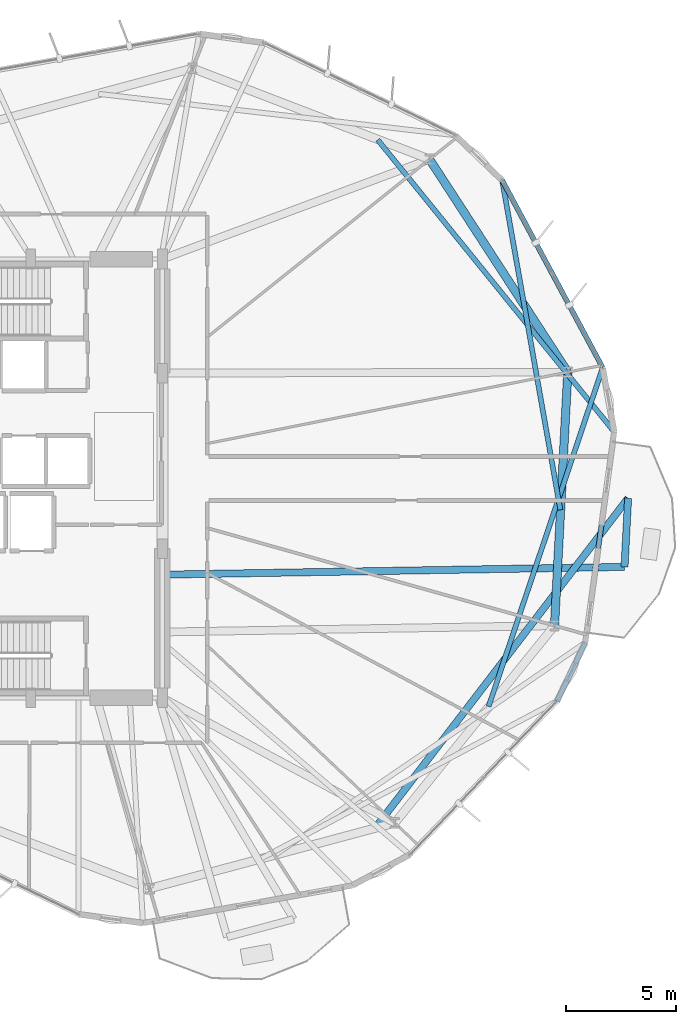
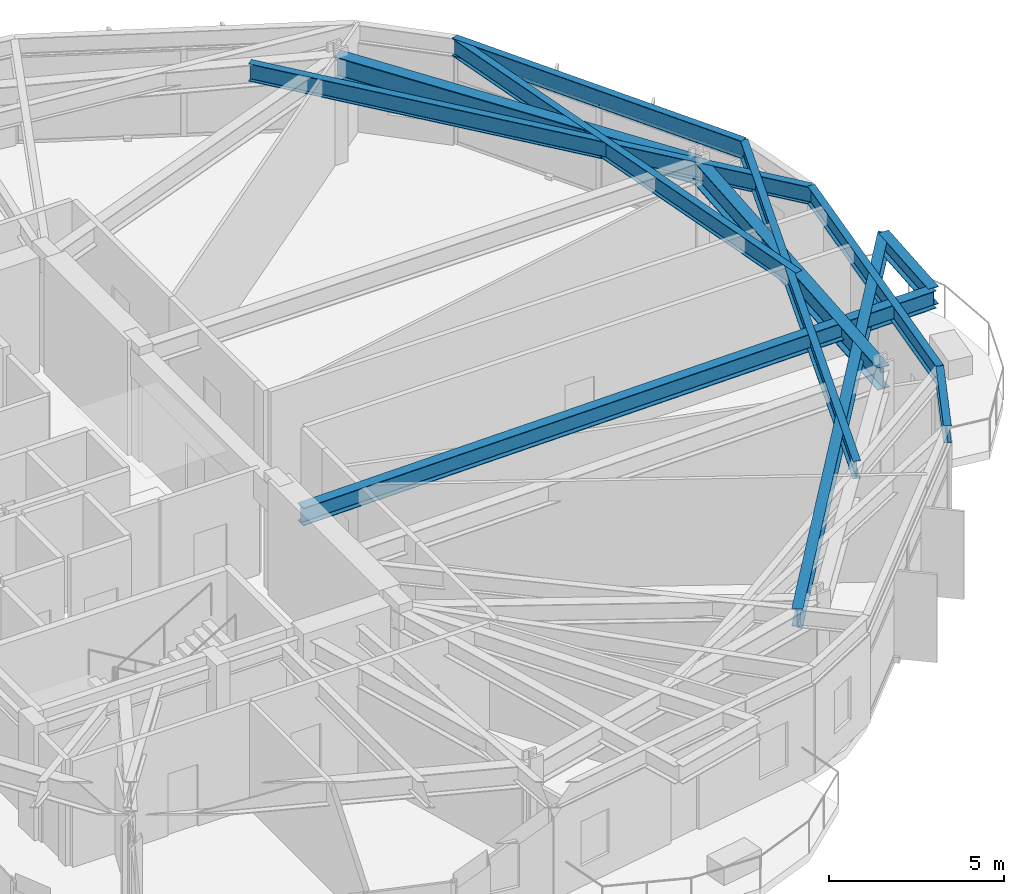
# One storey, part 10 of 22: 11 beams.
"""IFC4 building model written with IfcOpenShell, lengths in metres."""

from ifc_helpers import new_model, si_unit, direction, frame, origin, origin_2d, place, context, subcontext, project, spatial, i_section, extrude, material, material_profile, profile_set, type_object, element, save


model = new_model("IFC4")

# Units and contexts
model_context = context("Model", 3, precision=1e-05, world=origin(), true_north=direction((0.0, 1.0)))
body_context = subcontext(model_context, "Body", "Model", "MODEL_VIEW")
ifc_project = project(units=[si_unit("LENGTHUNIT", "METRE"), si_unit("AREAUNIT", "SQUARE_METRE"), si_unit("VOLUMEUNIT", "CUBIC_METRE"), si_unit("PLANEANGLEUNIT", "RADIAN"), si_unit("MASSUNIT", "GRAM", prefix="KILO")], contexts=[model_context])

# Site, building, storey
site_placement = place(None, origin())
site = spatial("IfcSite", under=ifc_project, at=site_placement, CompositionType="ELEMENT")
building_placement = place(site_placement, origin())
building = spatial("IfcBuilding", under=site, at=building_placement, Name="Soratama Intermodal Tower", CompositionType="ELEMENT")
storey_placement = place(building_placement, frame((0.0, 0.0, 66.60009765625)))
storey = spatial("IfcBuildingStorey", under=building, at=storey_placement, Name="L15", CompositionType="ELEMENT", Elevation=66.60009765625)

# Beams
ifc_material_1 = material(Name="Structural steel ASTM A992 Grade 50", Category="steel")
ifc_material_profile_1 = material_profile(ifc_material_1, i_section(OverallWidth=0.324951171875, OverallDepth=0.615966796875, WebThickness=0.013916015625, FlangeThickness=0.021484375, FilletRadius=0.013916015625, at=origin_2d()), Name="W24X117")
ifc_profile_set_1 = profile_set([ifc_material_profile_1], Name="Structural steel ASTM A992 Grade 50")
beam_type_1 = type_object("IfcBeamType", Name="BM-CANT-W24X117", PredefinedType="BEAM", material=ifc_profile_set_1)
beam_1_placement = place(storey_placement, frame((65.66796875, 20.968017578125, 3.391845703125), z_axis=(0.052325879315, 0.998630062813, 0.0), x_axis=(-0.998630062813, 0.052325879315, 0.0)))
element("IfcBeam", 1, at=beam_1_placement, inside=storey, type_object=beam_type_1, Name="BM-L15-CBHDR-1", PredefinedType="BEAM", context=body_context, shape_type="SweptSolid", body=[
    extrude(i_section(OverallWidth=0.324951171875, OverallDepth=0.615966796875, WebThickness=0.013916015625, FlangeThickness=0.021484375, FilletRadius=0.013916015625, at=origin_2d()), origin(), (0.0, 0.0, 1.0), 3.135498046875),
])
beam_2_placement = place(storey_placement, frame((44.639892578125, 20.614990234375, 3.391845703125), z_axis=(0.999859104923, 0.01678601509, 0.0), x_axis=(-0.01678601509, 0.999859104923, 0.0)))
element("IfcBeam", 2, at=beam_2_placement, inside=storey, type_object=beam_type_1, Name="BM-L15-CANT-1-1", PredefinedType="BEAM", context=body_context, shape_type="SweptSolid", body=[
    extrude(i_section(OverallWidth=0.324951171875, OverallDepth=0.615966796875, WebThickness=0.013916015625, FlangeThickness=0.021484375, FilletRadius=0.013916015625, at=origin_2d()), origin(), (0.0, 0.0, 1.0), 21.031005859375),
])
beam_3_placement = place(storey_placement, frame((54.326904296875, 9.093017578125, 3.391845703125), z_axis=(0.608446451664, 0.793594931598, 0.0), x_axis=(-0.793594931598, 0.608446451664, 0.0)))
element("IfcBeam", 3, at=beam_3_placement, inside=storey, type_object=beam_type_1, Name="BM-L15-CANT-1-2", PredefinedType="BEAM", context=body_context, shape_type="SweptSolid", body=[
    extrude(i_section(OverallWidth=0.324951171875, OverallDepth=0.615966796875, WebThickness=0.013916015625, FlangeThickness=0.021484375, FilletRadius=0.013916015625, at=origin_2d()), origin(), (0.0, 0.0, 1.0), 18.908935546875),
])
ifc_material_2 = material(Name="Structural steel ASTM A992 Grade 50", Category="steel")
ifc_material_profile_2 = material_profile(ifc_material_2, i_section(OverallWidth=0.382080078125, OverallDepth=0.779052734375, WebThickness=0.01806640625, FlangeThickness=0.030029296875, FilletRadius=0.01806640625, at=origin_2d()), Name="W30X191")
ifc_profile_set_2 = profile_set([ifc_material_profile_2], Name="Structural steel ASTM A992 Grade 50")
beam_type_2 = type_object("IfcBeamType", Name="BM-RING-W30X191", PredefinedType="BEAM", material=ifc_profile_set_2)
beam_4_placement = place(storey_placement, frame((63.08203125, 29.844970703125, 3.310302734375), z_axis=(-0.544623370352, 0.838680740489, 0.0), x_axis=(-0.838680740489, -0.544623370352, 0.0)))
element("IfcBeam", 4, at=beam_4_placement, inside=storey, type_object=beam_type_2, Name="BM-L15-RING-01", PredefinedType="BEAM", context=body_context, shape_type="SweptSolid", body=[
    extrude(i_section(OverallWidth=0.382080078125, OverallDepth=0.779052734375, WebThickness=0.01806640625, FlangeThickness=0.030029296875, FilletRadius=0.01806640625, at=origin_2d()), origin(), (0.0, 0.0, 1.0), 11.569580078125),
])
beam_5_placement = place(storey_placement, frame((62.47705078125, 18.291015625, 3.310302734375), z_axis=(0.052289698717, 0.998631957935, 0.0), x_axis=(-0.998631957935, 0.052289698717, 0.0)))
element("IfcBeam", 5, at=beam_5_placement, inside=storey, type_object=beam_type_2, Name="BM-L15-RING-10", PredefinedType="BEAM", context=body_context, shape_type="SweptSolid", body=[
    extrude(i_section(OverallWidth=0.382080078125, OverallDepth=0.779052734375, WebThickness=0.01806640625, FlangeThickness=0.030029296875, FilletRadius=0.01806640625, at=origin_2d()), origin(), (0.0, 0.0, 1.0), 11.56982421875),
])
ifc_material_3 = material(Name="Structural steel ASTM A992 Grade 50", Category="steel")
ifc_material_profile_3 = material_profile(ifc_material_3, i_section(OverallWidth=0.22900390625, OverallDepth=0.612060546875, WebThickness=0.011962890625, FlangeThickness=0.01953125, FilletRadius=0.012939453125, at=origin_2d()), Name="W24X84")
ifc_profile_set_3 = profile_set([ifc_material_profile_3], Name="Structural steel ASTM A992 Grade 50")
beam_type_3 = type_object("IfcBeamType", Name="BM-SPN-W24X84", PredefinedType="SPANDREL", material=ifc_profile_set_3)
beam_6_placement = place(storey_placement, frame((64.674072265625, 30.047119140625, 3.393798828125), z_axis=(-0.472567875196, 0.881294277374, 0.0), x_axis=(-0.881294277374, -0.472567875196, 0.0)))
element("IfcBeam", 6, at=beam_6_placement, inside=storey, type_object=beam_type_3, Name="BS-L15-F01", PredefinedType="SPANDREL", context=body_context, shape_type="SweptSolid", body=[
    extrude(i_section(OverallWidth=0.22900390625, OverallDepth=0.612060546875, WebThickness=0.011962890625, FlangeThickness=0.01953125, FilletRadius=0.012939453125, at=origin_2d()), origin(), (0.0, 0.0, 1.0), 9.697998046875),
])
beam_7_placement = place(storey_placement, frame((62.592041015625, 14.847900390625, 3.393798828125), z_axis=(0.435158654314, 0.900353789116, 0.0), x_axis=(-0.900353789116, 0.435158654314, 0.0)))
element("IfcBeam", 7, at=beam_7_placement, inside=storey, type_object=beam_type_3, Name="BS-L15-CRN09", PredefinedType="SPANDREL", context=body_context, shape_type="SweptSolid", body=[
    extrude(i_section(OverallWidth=0.22900390625, OverallDepth=0.612060546875, WebThickness=0.011962890625, FlangeThickness=0.01953125, FilletRadius=0.012939453125, at=origin_2d()), origin(), (0.0, 0.0, 1.0), 2.966796875),
])
beam_8_placement = place(storey_placement, frame((63.883056640625, 17.51904296875, 3.393798828125), z_axis=(0.135695125171, 0.990750641183, 0.0), x_axis=(-0.990750641183, 0.135695125171, 0.0)))
element("IfcBeam", 8, at=beam_8_placement, inside=storey, type_object=beam_type_3, Name="BS-L15-F10", PredefinedType="SPANDREL", context=body_context, shape_type="SweptSolid", body=[
    extrude(i_section(OverallWidth=0.22900390625, OverallDepth=0.612060546875, WebThickness=0.011962890625, FlangeThickness=0.01953125, FilletRadius=0.012939453125, at=origin_2d()), origin(), (0.0, 0.0, 1.0), 9.697509765625),
])
ifc_material_4 = material(Name="Structural steel ASTM A992 Grade 50", Category="steel")
ifc_material_profile_4 = material_profile(ifc_material_4, i_section(OverallWidth=0.22900390625, OverallDepth=0.612060546875, WebThickness=0.011962890625, FlangeThickness=0.01953125, FilletRadius=0.012939453125, at=origin_2d()), Name="W24X84")
ifc_profile_set_4 = profile_set([ifc_material_profile_4], Name="Structural steel ASTM A992 Grade 50")
beam_type_4 = type_object("IfcBeamType", Name="BM-TIE-W24X84", PredefinedType="BEAM", material=ifc_profile_set_4)
beam_9_placement = place(storey_placement, frame((59.472900390625, 14.60498046875, 3.393798828125), z_axis=(0.319197339481, 0.947688270724, 0.0), x_axis=(-0.947688270724, 0.319197339481, 0.0)))
element("IfcBeam", 9, at=beam_9_placement, inside=storey, type_object=beam_type_4, Name="BM-L15-TIE0-01", PredefinedType="BEAM", context=body_context, shape_type="SweptSolid", body=[
    extrude(i_section(OverallWidth=0.22900390625, OverallDepth=0.612060546875, WebThickness=0.011962890625, FlangeThickness=0.01953125, FilletRadius=0.012939453125, at=origin_2d()), origin(), (0.0, 0.0, 1.0), 16.29443359375),
])
beam_10_placement = place(storey_placement, frame((62.743896484375, 23.56689453125, 3.393798828125), z_axis=(-0.173848310634, 0.984772443202, 0.0), x_axis=(-0.984772443202, -0.173848310634, 0.0)))
element("IfcBeam", 10, at=beam_10_placement, inside=storey, type_object=beam_type_4, Name="BM-L15-TIE1-01", PredefinedType="BEAM", context=body_context, shape_type="SweptSolid", body=[
    extrude(i_section(OverallWidth=0.22900390625, OverallDepth=0.612060546875, WebThickness=0.011962890625, FlangeThickness=0.01953125, FilletRadius=0.012939453125, at=origin_2d()), origin(), (0.0, 0.0, 1.0), 15.259521484375),
])
beam_11_placement = place(storey_placement, frame((54.419921875, 40.43310546875, 3.393798828125), z_axis=(0.629459447202, -0.777033335403, 0.0), x_axis=(0.777033335403, 0.629459447202, 0.0)))
element("IfcBeam", 11, at=beam_11_placement, inside=storey, type_object=beam_type_4, Name="BM-L15-TIE1-10", PredefinedType="BEAM", context=body_context, shape_type="SweptSolid", body=[
    extrude(i_section(OverallWidth=0.22900390625, OverallDepth=0.612060546875, WebThickness=0.011962890625, FlangeThickness=0.01953125, FilletRadius=0.012939453125, at=origin_2d()), origin(), (0.0, 0.0, 1.0), 17.124267578125),
])

save(model, "model.ifc")
